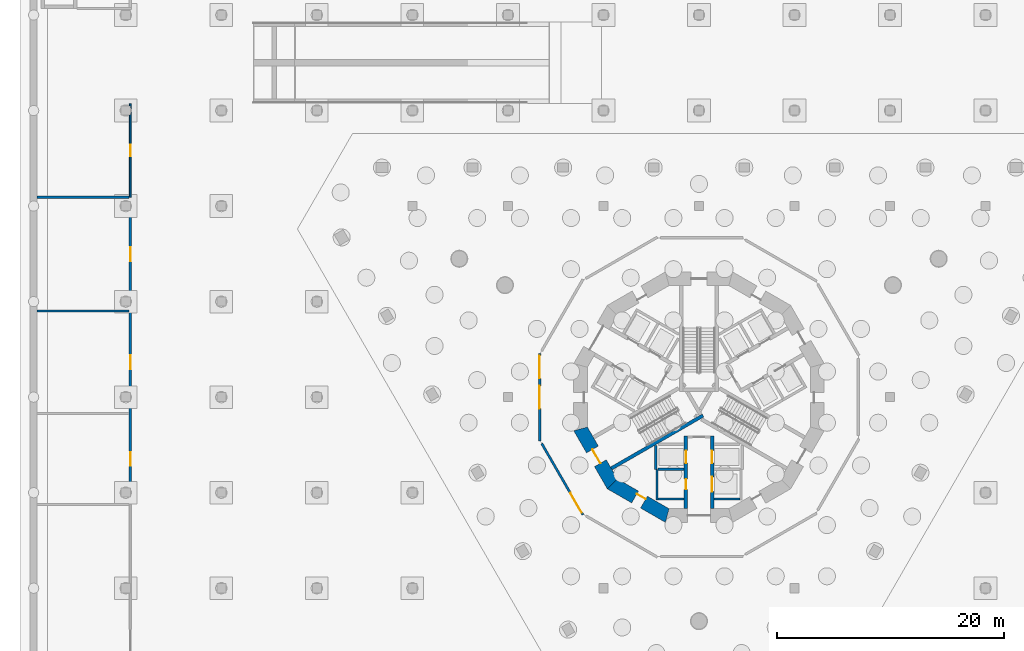
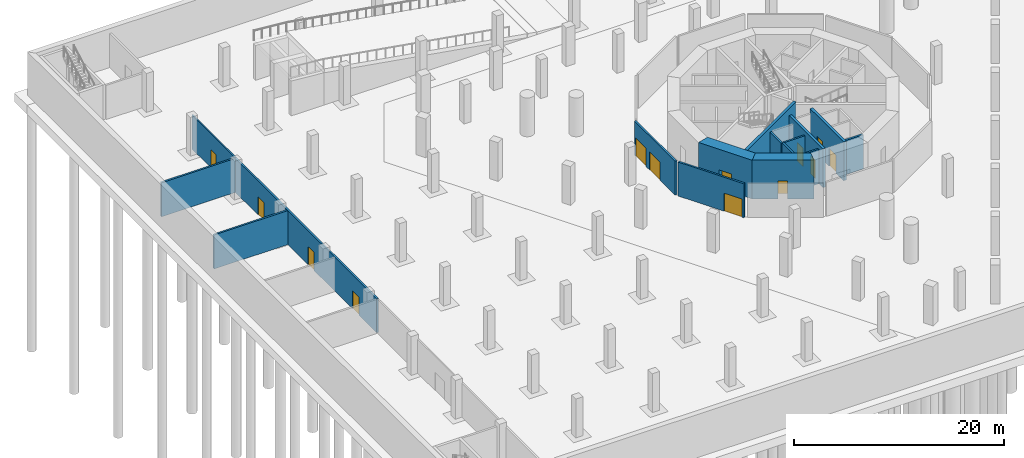
# One storey, part 7 of 23: 16 walls, 13 doors, 13 openings.
"""IFC4 building model written with IfcOpenShell, lengths in metres."""

from ifc_helpers import new_model, si_unit, direction, frame, frame_2d, origin, place, context, subcontext, project, spatial, polyline, rectangle, outline, extrude, material, layer, layer_set, type_object, element, fill, save


model = new_model("IFC4")

# Units and contexts
model_context = context("Model", 3, precision=1e-05, world=origin(), true_north=direction((0.0, 1.0)))
body_context = subcontext(model_context, "Body", "Model", "MODEL_VIEW")
ifc_project = project(units=[si_unit("LENGTHUNIT", "METRE"), si_unit("AREAUNIT", "SQUARE_METRE"), si_unit("VOLUMEUNIT", "CUBIC_METRE"), si_unit("PLANEANGLEUNIT", "RADIAN"), si_unit("MASSUNIT", "GRAM", prefix="KILO")], contexts=[model_context])

# Site, building, storey
site_placement = place(None, origin())
site = spatial("IfcSite", under=ifc_project, at=site_placement, CompositionType="ELEMENT")
building_placement = place(site_placement, origin())
building = spatial("IfcBuilding", under=site, at=building_placement, Name="Trine Commons Tower", CompositionType="ELEMENT")
storey_placement = place(building_placement, frame((0.0, 0.0, -9.0)))
storey = spatial("IfcBuildingStorey", under=building, at=storey_placement, Name="B2", CompositionType="ELEMENT", Elevation=-9.0)

# Wall, opening, door
ifc_material_1 = material(Name="Plasterboard on steel stud", Category="steel")
ifc_layer_1 = layer(ifc_material_1, 0.14990234375)
ifc_layer_set_1 = layer_set([ifc_layer_1], Name="Plasterboard on steel stud")
wall_type_1 = type_object("IfcWallType", Name="Compartment wall 150 mm, EI 60", PredefinedType="PARTITIONING", material=ifc_layer_set_1)
wall_1_placement = place(storey_placement, frame((30.0, 88.300048828125, 0.0), z_axis=(0.0, 0.0, 1.0), x_axis=(0.0, -1.0, 0.0)))
wall_1 = element("IfcWall", 1, at=wall_1_placement, inside=storey, type_object=wall_type_1, Name="Partition B2012", PredefinedType="PARTITIONING", context=body_context, shape_type="SweptSolid", body=[
    extrude(rectangle(XDim=8.230224609375, YDim=0.14990234375, at=frame_2d((4.115234375, 0.0))), origin(), (0.0, 0.0, 1.0), 3.949951171875),
])
opening_1_placement = place(wall_1_placement, frame((3.614990234375, 0.0, 0.0)))
opening_1 = element("IfcOpeningElement", 2, at=opening_1_placement, cuts=wall_1, Name="Opening D-B206", PredefinedType="OPENING", context=body_context, shape_type="SweptSolid", body=[
    extrude(rectangle(XDim=1.0, YDim=2.10009765625, at=frame_2d((0.5, 1.050048828125))), frame((0.0, 0.0849609375, 0.0), z_axis=(0.0, -1.0, 0.0), x_axis=(1.0, 0.0, 0.0)), (0.0, 0.0, 1.0), 0.169921875),
])
ifc_material_2 = material(Name="Timber fire door set", Category="wood")
door_type_1 = type_object("IfcDoorType", Name="Single swing door 1000x2100, FD30S", OperationType="SINGLE_SWING_LEFT", PredefinedType="DOOR", material=ifc_material_2)
door_1_placement = place(opening_1_placement, origin())
door_1 = element("IfcDoor", 3, at=door_1_placement, inside=storey, type_object=door_type_1, Name="Door D-B206", OperationType="SINGLE_SWING_LEFT", OverallHeight=2.10009765625, OverallWidth=1.0, PredefinedType="DOOR", context=body_context, shape_type="SweptSolid", body=[
    extrude(rectangle(XDim=1.0, YDim=2.10009765625, at=frame_2d((0.5, 1.050048828125))), frame((0.0, 0.02490234375, 0.0), z_axis=(0.0, -1.0, 0.0), x_axis=(1.0, 0.0, 0.0)), (0.0, 0.0, 1.0), 0.050048828125),
])
fill(opening_1, door_1)

# Walls
ifc_layer_2 = layer(ifc_material_1, 0.199951171875)
ifc_layer_set_2 = layer_set([ifc_layer_2], Name="Plasterboard on steel stud")
wall_type_2 = type_object("IfcWallType", Name="Fire wall 200 mm, EI 120", PredefinedType="PARTITIONING", material=ifc_layer_set_2)
for number, where, z_axis, x_axis, name in (
    (4, (21.800048828125, 70.070068359375, 0.0), (0.0, 0.0, 1.0), (1.0, 0.0, 0.0), "Partition B2003"),
    (5, (21.800048828125, 80.070068359375, 0.0), (0.0, 0.0, 1.0), (1.0, 0.0, 0.0), "Partition B2004"),
):
    element("IfcWall", number, at=place(storey_placement, frame(where, z_axis=z_axis, x_axis=x_axis)), inside=storey, type_object=wall_type_2, Name=name, PredefinedType="PARTITIONING", context=body_context, shape_type="SweptSolid", body=[
        extrude(rectangle(XDim=8.099853515625, YDim=0.199951171875, at=frame_2d((4.0498046875, 0.0))), origin(), (0.0, 0.0, 1.0), 3.949951171875),
    ])

# Wall, openings, doors
wall_2_placement = place(storey_placement, frame((30.0, 80.0703125, 0.0), z_axis=(0.0, 0.0, 1.0), x_axis=(0.0, -1.0, 0.0)))
wall_2 = element("IfcWall", 6, at=wall_2_placement, inside=storey, type_object=wall_type_2, Name="Partition B2011", PredefinedType="PARTITIONING", context=body_context, shape_type="SweptSolid", body=[
    extrude(rectangle(XDim=27.00048828125, YDim=0.199951171875, at=frame_2d((13.500244140625, 0.0))), origin(), (0.0, 0.0, 1.0), 3.949951171875),
])
opening_2_placement = place(wall_2_placement, frame((22.400146484375, 0.0, 0.0)))
opening_2 = element("IfcOpeningElement", 7, at=opening_2_placement, cuts=wall_2, Name="Opening D-B203", PredefinedType="OPENING", context=body_context, shape_type="SweptSolid", body=[
    extrude(rectangle(XDim=1.199951171875, YDim=2.10009765625, at=frame_2d((0.60009765625, 1.050048828125))), frame((0.0, 0.10986328125, 0.0), z_axis=(0.0, -1.0, 0.0), x_axis=(1.0, 0.0, 0.0)), (0.0, 0.0, 1.0), 0.219970703125),
])
opening_3_placement = place(wall_2_placement, frame((13.900146484375, 0.0, 0.0)))
opening_3 = element("IfcOpeningElement", 8, at=opening_3_placement, cuts=wall_2, Name="Opening D-B204", PredefinedType="OPENING", context=body_context, shape_type="SweptSolid", body=[
    extrude(rectangle(XDim=1.199951171875, YDim=2.10009765625, at=frame_2d((0.60009765625, 1.050048828125))), frame((0.0, 0.10986328125, 0.0), z_axis=(0.0, -1.0, 0.0), x_axis=(1.0, 0.0, 0.0)), (0.0, 0.0, 1.0), 0.219970703125),
])
opening_4_placement = place(wall_2_placement, frame((4.400146484375, 0.0, 0.0)))
opening_4 = element("IfcOpeningElement", 9, at=opening_4_placement, cuts=wall_2, Name="Opening D-B205", PredefinedType="OPENING", context=body_context, shape_type="SweptSolid", body=[
    extrude(rectangle(XDim=1.199951171875, YDim=2.10009765625, at=frame_2d((0.60009765625, 1.050048828125))), frame((0.0, 0.10986328125, 0.0), z_axis=(0.0, -1.0, 0.0), x_axis=(1.0, 0.0, 0.0)), (0.0, 0.0, 1.0), 0.219970703125),
])
door_type_2 = type_object("IfcDoorType", Name="Single swing door 1200x2100, FD60", OperationType="SINGLE_SWING_LEFT", PredefinedType="DOOR", material=ifc_material_2)
door_2_placement = place(opening_2_placement, origin())
door_2 = element("IfcDoor", 10, at=door_2_placement, inside=storey, type_object=door_type_2, Name="Door D-B203", OperationType="SINGLE_SWING_LEFT", OverallHeight=2.10009765625, OverallWidth=1.199951171875, PredefinedType="DOOR", context=body_context, shape_type="SweptSolid", body=[
    extrude(rectangle(XDim=1.199951171875, YDim=2.10009765625, at=frame_2d((0.60009765625, 1.050048828125))), frame((0.0, 0.02490234375, 0.0), z_axis=(0.0, -1.0, 0.0), x_axis=(1.0, 0.0, 0.0)), (0.0, 0.0, 1.0), 0.050048828125),
])
fill(opening_2, door_2)
door_3_placement = place(opening_3_placement, origin())
door_3 = element("IfcDoor", 11, at=door_3_placement, inside=storey, type_object=door_type_2, Name="Door D-B204", OperationType="SINGLE_SWING_LEFT", OverallHeight=2.10009765625, OverallWidth=1.199951171875, PredefinedType="DOOR", context=body_context, shape_type="SweptSolid", body=[
    extrude(rectangle(XDim=1.199951171875, YDim=2.10009765625, at=frame_2d((0.60009765625, 1.050048828125))), frame((0.0, 0.02490234375, 0.0), z_axis=(0.0, -1.0, 0.0), x_axis=(1.0, 0.0, 0.0)), (0.0, 0.0, 1.0), 0.050048828125),
])
fill(opening_3, door_3)
door_4_placement = place(opening_4_placement, origin())
door_4 = element("IfcDoor", 12, at=door_4_placement, inside=storey, type_object=door_type_2, Name="Door D-B205", OperationType="SINGLE_SWING_LEFT", OverallHeight=2.10009765625, OverallWidth=1.199951171875, PredefinedType="DOOR", context=body_context, shape_type="SweptSolid", body=[
    extrude(rectangle(XDim=1.199951171875, YDim=2.10009765625, at=frame_2d((0.60009765625, 1.050048828125))), frame((0.0, 0.02490234375, 0.0), z_axis=(0.0, -1.0, 0.0), x_axis=(1.0, 0.0, 0.0)), (0.0, 0.0, 1.0), 0.050048828125),
])
fill(opening_4, door_4)

wall_3_placement = place(storey_placement, frame((65.988525390625, 58.6455078125, 0.0), z_axis=(0.0, 0.0, 1.0), x_axis=(0.0, 1.0, 0.0)))
wall_3 = element("IfcWall", 13, at=wall_3_placement, inside=storey, type_object=wall_type_2, Name="Partition B2014", PredefinedType="PARTITIONING", context=body_context, shape_type="SweptSolid", body=[
    extrude(rectangle(XDim=7.708984375, YDim=0.199951171875, at=frame_2d((3.8544921875, 0.0))), origin(), (0.0, 0.0, 1.0), 3.949951171875),
])
opening_5_placement = place(wall_3_placement, frame((2.8544921875, 0.0, 0.0)))
opening_5 = element("IfcOpeningElement", 14, at=opening_5_placement, cuts=wall_3, Name="Opening D-B208", PredefinedType="OPENING", context=body_context, shape_type="SweptSolid", body=[
    extrude(rectangle(XDim=2.0, YDim=2.10009765625, at=frame_2d((1.0, 1.050048828125))), frame((0.0, 0.10986328125, 0.0), z_axis=(0.0, -1.0, 0.0), x_axis=(1.0, 0.0, 0.0)), (0.0, 0.0, 1.0), 0.219970703125),
])
opening_6_placement = place(wall_3_placement, frame((5.5087890625, 0.0, 0.0)))
opening_6 = element("IfcOpeningElement", 15, at=opening_6_placement, cuts=wall_3, Name="Opening D-B209", PredefinedType="OPENING", context=body_context, shape_type="SweptSolid", body=[
    extrude(rectangle(XDim=2.0, YDim=2.10009765625, at=frame_2d((1.0, 1.050048828125))), frame((0.0, 0.10986328125, 0.0), z_axis=(0.0, -1.0, 0.0), x_axis=(1.0, 0.0, 0.0)), (0.0, 0.0, 1.0), 0.219970703125),
])
door_type_3 = type_object("IfcDoorType", Name="Double swing door 2000x2100, FD60", OperationType="DOUBLE_DOOR_DOUBLE_SWING", PredefinedType="DOOR", material=ifc_material_2)
door_5_placement = place(opening_5_placement, origin())
door_5 = element("IfcDoor", 16, at=door_5_placement, inside=storey, type_object=door_type_3, Name="Door D-B208", OperationType="DOUBLE_DOOR_DOUBLE_SWING", OverallHeight=2.10009765625, OverallWidth=2.0, PredefinedType="DOOR", context=body_context, shape_type="SweptSolid", body=[
    extrude(rectangle(XDim=2.0, YDim=2.10009765625, at=frame_2d((1.0, 1.050048828125))), frame((0.0, 0.02490234375, 0.0), z_axis=(0.0, -1.0, 0.0), x_axis=(1.0, 0.0, 0.0)), (0.0, 0.0, 1.0), 0.050048828125),
])
fill(opening_5, door_5)
door_6_placement = place(opening_6_placement, origin())
door_6 = element("IfcDoor", 17, at=door_6_placement, inside=storey, type_object=door_type_3, Name="Door D-B209", OperationType="DOUBLE_DOOR_DOUBLE_SWING", OverallHeight=2.10009765625, OverallWidth=2.0, PredefinedType="DOOR", context=body_context, shape_type="SweptSolid", body=[
    extrude(rectangle(XDim=2.0, YDim=2.10009765625, at=frame_2d((1.0, 1.050048828125))), frame((0.0, 0.02490234375, 0.0), z_axis=(0.0, -1.0, 0.0), x_axis=(1.0, 0.0, 0.0)), (0.0, 0.0, 1.0), 0.050048828125),
])
fill(opening_6, door_6)

# Wall, opening, door
wall_4_placement = place(storey_placement, frame((69.792724609375, 52.15625, 0.0), z_axis=(0.0, 0.0, 1.0), x_axis=(-0.499993116331, 0.866029378036, 0.0)))
wall_4 = element("IfcWall", 18, at=wall_4_placement, inside=storey, type_object=wall_type_2, Name="Partition B2015", PredefinedType="PARTITIONING", context=body_context, shape_type="SweptSolid", body=[
    extrude(rectangle(XDim=7.2353515625, YDim=0.199951171875, at=frame_2d((3.61767578125, 0.0))), origin(), (0.0, 0.0, 1.0), 3.949951171875),
])
opening_7_placement = place(wall_4_placement, frame((0.199951171875, 0.0, 0.0)))
opening_7 = element("IfcOpeningElement", 19, at=opening_7_placement, cuts=wall_4, Name="Opening D-B210", PredefinedType="OPENING", context=body_context, shape_type="SweptSolid", body=[
    extrude(rectangle(XDim=2.0, YDim=2.10009765625, at=frame_2d((1.0, 1.050048828125))), frame((0.0, 0.10986328125, 0.0), z_axis=(0.0, -1.0, 0.0), x_axis=(1.0, 0.0, 0.0)), (0.0, 0.0, 1.0), 0.219970703125),
])
door_7_placement = place(opening_7_placement, origin())
door_7 = element("IfcDoor", 20, at=door_7_placement, inside=storey, type_object=door_type_3, Name="Door D-B210", OperationType="DOUBLE_DOOR_DOUBLE_SWING", OverallHeight=2.10009765625, OverallWidth=2.0, PredefinedType="DOOR", context=body_context, shape_type="SweptSolid", body=[
    extrude(rectangle(XDim=2.0, YDim=2.10009765625, at=frame_2d((1.0, 1.050048828125))), frame((0.0, 0.02490234375, 0.0), z_axis=(0.0, -1.0, 0.0), x_axis=(1.0, 0.0, 0.0)), (0.0, 0.0, 1.0), 0.050048828125),
])
fill(opening_7, door_7)

ifc_material_3 = material(Name="Concrete C80/95", Category="concrete")
ifc_layer_3 = layer(ifc_material_3, 1.199951171875)
ifc_layer_set_3 = layer_set([ifc_layer_3], Name="Concrete C80/95")
wall_type_3 = type_object("IfcWallType", Name="RC shear wall 1200 mm, C80/95", PredefinedType="SHEAR", material=ifc_layer_set_3)
wall_5_placement = place(storey_placement, frame((69.508056640625, 59.849609375, 0.0), z_axis=(0.0, 0.0, 1.0), x_axis=(0.499979111662, -0.866037463336, 0.0)))
wall_5 = element("IfcWall", 21, at=wall_5_placement, inside=storey, type_object=wall_type_3, Name="Core wall CWA-08 B2", PredefinedType="SHEAR", context=body_context, shape_type="SweptSolid", body=[
    extrude(outline(polyline([(0.0, -0.60009765625), (5.901123046875, -0.60009765625), (5.57958984375, 0.60009765625), (0.321533203125, 0.60009765625), (0.0, -0.60009765625)])), origin(), (0.0, 0.0, 1.0), 4.5),
])
opening_8_placement = place(wall_5_placement, frame((2.25048828125, 0.0, 0.0)))
opening_8 = element("IfcOpeningElement", 22, at=opening_8_placement, cuts=wall_5, Name="Opening K01.02", PredefinedType="OPENING", context=body_context, shape_type="SweptSolid", body=[
    extrude(rectangle(XDim=1.39990234375, YDim=2.10009765625, at=frame_2d((0.699951171875, 1.050048828125))), frame((0.0, 0.60986328125, 0.0), z_axis=(0.0, -1.0, 0.0), x_axis=(1.0, 0.0, 0.0)), (0.0, 0.0, 1.0), 1.219970703125),
])
ifc_material_4 = material(Name="Steel door leaves, fire-rated", Category="steel")
door_type_4 = type_object("IfcDoorType", Name="Stair door, double leaf 1400 x 2100, FD90", OperationType="DOUBLE_DOOR_SINGLE_SWING", PredefinedType="DOOR", material=ifc_material_4)
door_8_placement = place(opening_8_placement, origin())
door_8 = element("IfcDoor", 23, at=door_8_placement, inside=storey, type_object=door_type_4, Name="Stair door to Exit stair ST2A B2", OperationType="DOUBLE_DOOR_SINGLE_SWING", OverallHeight=2.10009765625, OverallWidth=1.39990234375, PredefinedType="DOOR", context=body_context, shape_type="SweptSolid", body=[
    extrude(rectangle(XDim=1.39990234375, YDim=2.10009765625, at=frame_2d((0.699951171875, 1.050048828125))), frame((0.0, 0.02490234375, 0.0), z_axis=(0.0, -1.0, 0.0), x_axis=(1.0, 0.0, 0.0)), (0.0, 0.0, 1.0), 0.050048828125),
])
fill(opening_8, door_8)

wall_6_placement = place(storey_placement, frame((72.239013671875, 54.95849609375, 0.0), z_axis=(0.0, 0.0, 1.0), x_axis=(0.866037463336, -0.499979111662, 0.0)))
wall_6 = element("IfcWall", 24, at=wall_6_placement, inside=storey, type_object=wall_type_3, Name="Core wall CWA-09 B2", PredefinedType="SHEAR", context=body_context, shape_type="SweptSolid", body=[
    extrude(outline(polyline([(0.0, -0.60009765625), (5.901123046875, -0.60009765625), (5.57958984375, 0.60009765625), (0.321533203125, 0.60009765625), (0.0, -0.60009765625)])), origin(), (0.0, 0.0, 1.0), 4.5),
])
opening_9_placement = place(wall_6_placement, frame((2.4765625, 0.0, 0.0)))
opening_9 = element("IfcOpeningElement", 25, at=opening_9_placement, cuts=wall_6, Name="Opening K01.14", PredefinedType="OPENING", context=body_context, shape_type="SweptSolid", body=[
    extrude(rectangle(XDim=0.89990234375, YDim=2.10009765625, at=frame_2d((0.449951171875, 1.050048828125))), frame((0.0, 0.60986328125, 0.0), z_axis=(0.0, -1.0, 0.0), x_axis=(1.0, 0.0, 0.0)), (0.0, 0.0, 1.0), 1.219970703125),
])
ifc_material_5 = material(Name="Steel door leaf, fire-rated", Category="steel")
door_type_5 = type_object("IfcDoorType", Name="Core room door, single leaf 900 x 2100, FD30S", OperationType="SINGLE_SWING_LEFT", PredefinedType="DOOR", material=ifc_material_5)
door_9_placement = place(opening_9_placement, origin())
door_9 = element("IfcDoor", 26, at=door_9_placement, inside=storey, type_object=door_type_5, Name="Door to Plant room B2", OperationType="SINGLE_SWING_LEFT", OverallHeight=2.10009765625, OverallWidth=0.89990234375, PredefinedType="DOOR", context=body_context, shape_type="SweptSolid", body=[
    extrude(rectangle(XDim=0.89990234375, YDim=2.10009765625, at=frame_2d((0.449951171875, 1.050048828125))), frame((0.0, 0.3251953125, 0.0), z_axis=(0.0, -1.0, 0.0), x_axis=(1.0, 0.0, 0.0)), (0.0, 0.0, 1.0), 0.050048828125),
])
fill(opening_9, door_9)

# Wall, openings, doors
ifc_layer_4 = layer(ifc_material_3, 0.300048828125)
ifc_layer_set_4 = layer_set([ifc_layer_4], Name="Concrete C80/95")
wall_type_4 = type_object("IfcWallType", Name="RC shear wall 300 mm, C80/95", PredefinedType="SHEAR", material=ifc_layer_set_4)
wall_7_placement = place(storey_placement, frame((78.85009765625, 59.10009765625, 0.0), z_axis=(0.0, 0.0, 1.0), x_axis=(0.0, -1.0, 0.0)))
wall_7 = element("IfcWall", 27, at=wall_7_placement, inside=storey, type_object=wall_type_4, Name="Core wall SWA-03 B2", PredefinedType="SHEAR", context=body_context, shape_type="SweptSolid", body=[
    extrude(rectangle(XDim=6.412109375, YDim=0.300048828125, at=frame_2d((3.2060546875, 0.0))), origin(), (0.0, 0.0, 1.0), 4.5),
])
opening_10_placement = place(wall_7_placement, frame((3.800048828125, 0.0, 0.0)))
opening_10 = element("IfcOpeningElement", 28, at=opening_10_placement, cuts=wall_7, Name="Opening K01.10", PredefinedType="OPENING", context=body_context, shape_type="SweptSolid", body=[
    extrude(rectangle(XDim=0.89990234375, YDim=2.10009765625, at=frame_2d((0.449951171875, 1.050048828125))), frame((0.0, 0.159912109375, 0.0), z_axis=(0.0, -1.0, 0.0), x_axis=(1.0, 0.0, 0.0)), (0.0, 0.0, 1.0), 0.320068359375),
])
opening_11_placement = place(wall_7_placement, frame((1.300048828125, 0.0, 0.0)))
opening_11 = element("IfcOpeningElement", 29, at=opening_11_placement, cuts=wall_7, Name="Opening LD10", PredefinedType="OPENING", context=body_context, shape_type="SweptSolid", body=[
    extrude(rectangle(XDim=1.10009765625, YDim=2.10009765625, at=frame_2d((0.550048828125, 1.050048828125))), frame((0.0, 0.159912109375, 0.0), z_axis=(0.0, -1.0, 0.0), x_axis=(1.0, 0.0, 0.0)), (0.0, 0.0, 1.0), 0.320068359375),
])
door_10_placement = place(opening_10_placement, frame((0.89990234375, 0.0, 0.0), z_axis=(0.0, 0.0, 1.0), x_axis=(-1.0, 0.0, 0.0)))
door_10 = element("IfcDoor", 30, at=door_10_placement, inside=storey, type_object=door_type_5, Name="Door to Store B2", OperationType="SINGLE_SWING_RIGHT", OverallHeight=2.10009765625, OverallWidth=0.89990234375, PredefinedType="DOOR", context=body_context, shape_type="SweptSolid", body=[
    extrude(rectangle(XDim=0.89990234375, YDim=2.10009765625, at=frame_2d((0.449951171875, 1.050048828125))), frame((0.0, 0.02490234375, 0.0), z_axis=(0.0, -1.0, 0.0), x_axis=(1.0, 0.0, 0.0)), (0.0, 0.0, 1.0), 0.050048828125),
])
fill(opening_10, door_10)
ifc_material_6 = material(Name="Stainless steel sliding door leaves", Category="steel")
door_type_6 = type_object("IfcDoorType", Name="Lift landing door, centre-opening sliding 1100 x 2100, FD90", OperationType="DOUBLE_DOOR_SLIDING", PredefinedType="DOOR", material=ifc_material_6)
door_11_placement = place(opening_11_placement, origin())
door_11 = element("IfcDoor", 31, at=door_11_placement, inside=storey, type_object=door_type_6, Name="Lift landing door FF2 B2", OperationType="DOUBLE_DOOR_SLIDING", OverallHeight=2.10009765625, OverallWidth=1.10009765625, PredefinedType="DOOR", context=body_context, shape_type="SweptSolid", body=[
    extrude(rectangle(XDim=1.10009765625, YDim=2.10009765625, at=frame_2d((0.550048828125, 1.050048828125))), frame((0.0, 0.02490234375, 0.0), z_axis=(0.0, -1.0, 0.0), x_axis=(1.0, 0.0, 0.0)), (0.0, 0.0, 1.0), 0.050048828125),
])
fill(opening_11, door_11)

wall_8_placement = place(storey_placement, frame((81.14990234375, 59.10009765625, 0.0), z_axis=(0.0, 0.0, 1.0), x_axis=(0.0, -1.0, 0.0)))
wall_8 = element("IfcWall", 32, at=wall_8_placement, inside=storey, type_object=wall_type_4, Name="Core wall SWA-04 B2", PredefinedType="SHEAR", context=body_context, shape_type="SweptSolid", body=[
    extrude(rectangle(XDim=6.412109375, YDim=0.300048828125, at=frame_2d((3.2060546875, 0.0))), origin(), (0.0, 0.0, 1.0), 4.5),
])
opening_12_placement = place(wall_8_placement, frame((3.60009765625, 0.0, 0.0)))
opening_12 = element("IfcOpeningElement", 33, at=opening_12_placement, cuts=wall_8, Name="Opening LD11", PredefinedType="OPENING", context=body_context, shape_type="SweptSolid", body=[
    extrude(rectangle(XDim=1.300048828125, YDim=2.10009765625, at=frame_2d((0.64990234375, 1.050048828125))), frame((0.0, 0.159912109375, 0.0), z_axis=(0.0, -1.0, 0.0), x_axis=(1.0, 0.0, 0.0)), (0.0, 0.0, 1.0), 0.320068359375),
])
opening_13_placement = place(wall_8_placement, frame((1.300048828125, 0.0, 0.0)))
opening_13 = element("IfcOpeningElement", 34, at=opening_13_placement, cuts=wall_8, Name="Opening LD9", PredefinedType="OPENING", context=body_context, shape_type="SweptSolid", body=[
    extrude(rectangle(XDim=1.10009765625, YDim=2.10009765625, at=frame_2d((0.550048828125, 1.050048828125))), frame((0.0, 0.159912109375, 0.0), z_axis=(0.0, -1.0, 0.0), x_axis=(1.0, 0.0, 0.0)), (0.0, 0.0, 1.0), 0.320068359375),
])
door_12_placement = place(opening_13_placement, origin())
door_12 = element("IfcDoor", 35, at=door_12_placement, inside=storey, type_object=door_type_6, Name="Lift landing door FF1 B2", OperationType="DOUBLE_DOOR_SLIDING", OverallHeight=2.10009765625, OverallWidth=1.10009765625, PredefinedType="DOOR", context=body_context, shape_type="SweptSolid", body=[
    extrude(rectangle(XDim=1.10009765625, YDim=2.10009765625, at=frame_2d((0.550048828125, 1.050048828125))), frame((0.0, 0.02490234375, 0.0), z_axis=(0.0, -1.0, 0.0), x_axis=(1.0, 0.0, 0.0)), (0.0, 0.0, 1.0), 0.050048828125),
])
fill(opening_13, door_12)
door_type_7 = type_object("IfcDoorType", Name="Lift landing door, centre-opening sliding 1300 x 2100, FD90", OperationType="DOUBLE_DOOR_SLIDING", PredefinedType="DOOR", material=ifc_material_6)
door_13_placement = place(opening_12_placement, origin())
door_13 = element("IfcDoor", 36, at=door_13_placement, inside=storey, type_object=door_type_7, Name="Lift landing door G1 B2", OperationType="DOUBLE_DOOR_SLIDING", OverallHeight=2.10009765625, OverallWidth=1.300048828125, PredefinedType="DOOR", context=body_context, shape_type="SweptSolid", body=[
    extrude(rectangle(XDim=1.300048828125, YDim=2.10009765625, at=frame_2d((0.64990234375, 1.050048828125))), frame((0.0, 0.02490234375, 0.0), z_axis=(0.0, -1.0, 0.0), x_axis=(1.0, 0.0, 0.0)), (0.0, 0.0, 1.0), 0.050048828125),
])
fill(opening_12, door_13)

# Walls
wall_9_placement = place(storey_placement, frame((80.35400390625, 60.885986328125, 0.0), z_axis=(0.0, 0.0, 1.0), x_axis=(-0.865986456211, -0.50006745311, 0.0)))
element("IfcWall", 37, at=wall_9_placement, inside=storey, type_object=wall_type_4, Name="Core wall SWA-14 B2", PredefinedType="SHEAR", context=body_context, shape_type="SweptSolid", body=[
    extrude(rectangle(XDim=9.310791015625, YDim=0.300048828125, at=frame_2d((4.6552734375, 0.0))), origin(), (0.0, 0.0, 1.0), 4.5),
])
ifc_material_7 = material(Name="Fire-rated gypsum shaft wall system")
ifc_layer_5 = layer(ifc_material_7, 0.199951171875)
ifc_layer_set_5 = layer_set([ifc_layer_5], Name="Fire-rated gypsum shaft wall system")
wall_type_5 = type_object("IfcWallType", Name="Shaft wall 200 mm, EI 120", PredefinedType="PARTITIONING", material=ifc_layer_set_5)
wall_10_placement = place(storey_placement, frame((76.199951171875, 58.256103515625, 0.0), z_axis=(0.0, 0.0, 1.0), x_axis=(0.0, -1.0, 0.0)))
element("IfcWall", 38, at=wall_10_placement, inside=storey, type_object=wall_type_5, Name="Shaft wall B2", PredefinedType="PARTITIONING", context=body_context, shape_type="SweptSolid", body=[
    extrude(rectangle(XDim=2.106201171875, YDim=0.199951171875, at=frame_2d((1.05322265625, 0.0))), origin(), (0.0, 0.0, 1.0), 4.0),
])
wall_11_placement = place(storey_placement, frame((76.300048828125, 56.14990234375, 0.0), z_axis=(0.0, 0.0, 1.0), x_axis=(0.0, -1.0, 0.0)))
element("IfcWall", 39, at=wall_11_placement, inside=storey, type_object=wall_type_5, Name="Shaft wall B2", PredefinedType="PARTITIONING", context=body_context, shape_type="SweptSolid", body=[
    extrude(rectangle(XDim=2.699951171875, YDim=0.199951171875, at=frame_2d((1.35009765625, 0.0))), origin(), (0.0, 0.0, 1.0), 4.0),
])
for number, where, z_axis, x_axis, name in (
    (40, (78.699951171875, 53.550048828125, 0.0), (0.0, 0.0, 1.0), (-1.0, 0.0, 0.0), "Shaft wall B2"),
    (41, (78.699951171875, 56.14990234375, 0.0), (0.0, 0.0, 1.0), (-1.0, 0.0, 0.0), "Shaft wall B2"),
    (42, (81.300048828125, 53.550048828125, 0.0), (0.0, 0.0, 1.0), (1.0, 0.0, 0.0), "Shaft wall B2"),
):
    element("IfcWall", number, at=place(storey_placement, frame(where, z_axis=z_axis, x_axis=x_axis)), inside=storey, type_object=wall_type_5, Name=name, PredefinedType="PARTITIONING", context=body_context, shape_type="SweptSolid", body=[
        extrude(rectangle(XDim=2.300048828125, YDim=0.199951171875, at=frame_2d((1.14990234375, 0.0))), origin(), (0.0, 0.0, 1.0), 4.0),
    ])

save(model, "model.ifc")
